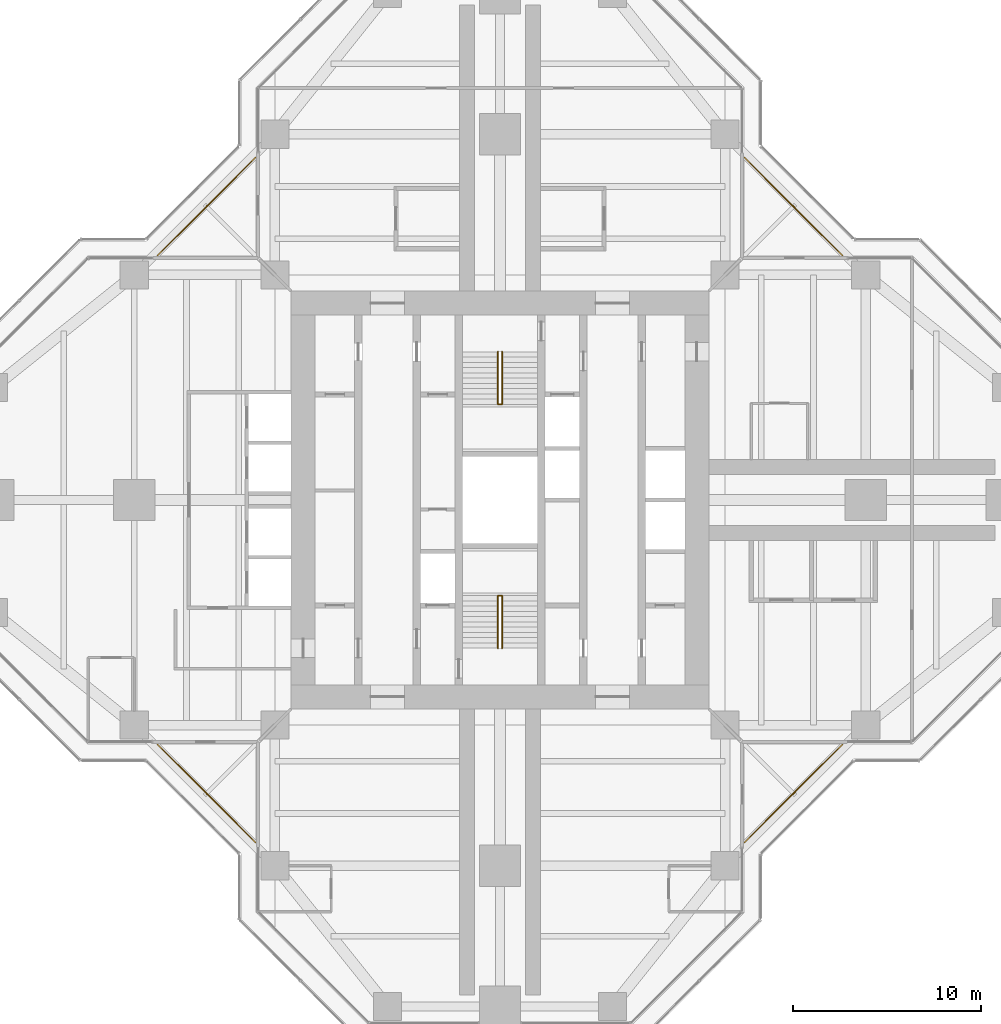
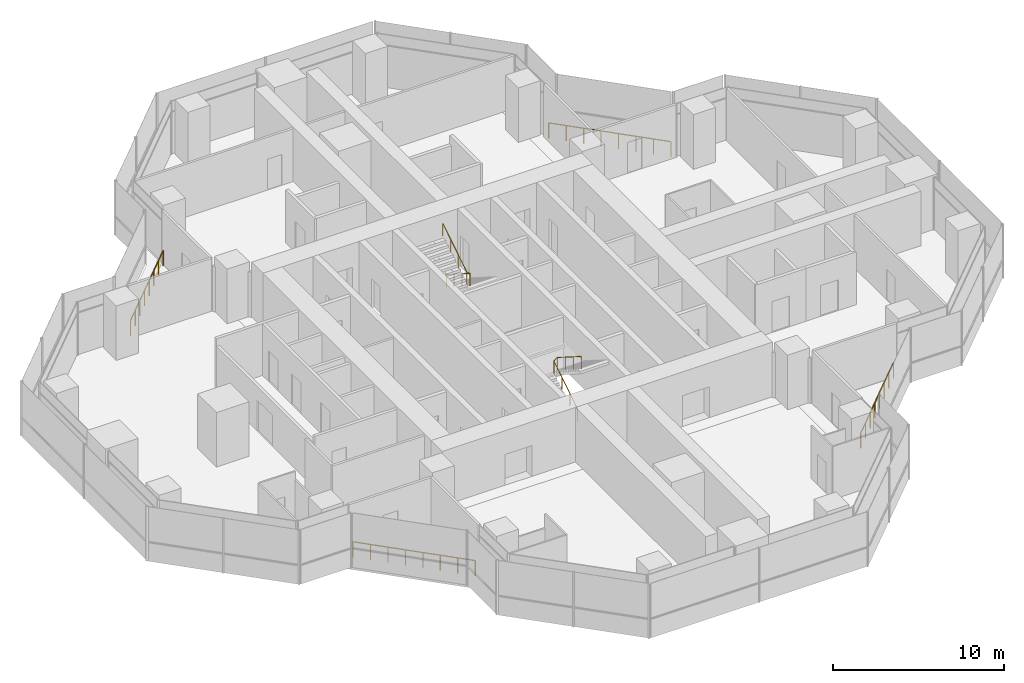
# One storey, part 17 of 17: 6 railings.
"""IFC4 building model written with IfcOpenShell, lengths in metres."""

from ifc_helpers import new_model, si_unit, direction, frame, origin, origin_2d, place, context, subcontext, project, spatial, circle, extrude, material, type_object, element, save


model = new_model("IFC4")

# Units and contexts
model_context = context("Model", 3, precision=1e-05, world=origin(), true_north=direction((0.0, 1.0)))
body_context = subcontext(model_context, "Body", "Model", "MODEL_VIEW")
ifc_project = project(units=[si_unit("LENGTHUNIT", "METRE"), si_unit("AREAUNIT", "SQUARE_METRE"), si_unit("VOLUMEUNIT", "CUBIC_METRE"), si_unit("PLANEANGLEUNIT", "RADIAN"), si_unit("MASSUNIT", "GRAM", prefix="KILO")], contexts=[model_context])

# Site, building, storey
site_placement = place(None, origin())
site = spatial("IfcSite", under=ifc_project, at=site_placement, CompositionType="ELEMENT")
building_placement = place(site_placement, origin())
building = spatial("IfcBuilding", under=site, at=building_placement, Name="Mizan Broadcast Tower", CompositionType="ELEMENT")
storey_placement = place(building_placement, frame((0.0, 0.0, 228.300048828125)))
storey = spatial("IfcBuildingStorey", under=building, at=storey_placement, Name="L53", CompositionType="ELEMENT", Elevation=228.300048828125)

# Railings
ifc_material_1 = material(Name="Stainless steel and glass guard", Category="steel")
railing_type_1 = type_object("IfcRailingType", Name="GUARD 1100", PredefinedType="GUARDRAIL", material=ifc_material_1)
railing_1_placement = place(storey_placement, frame((18.2578125, 13.030029296875, 0.0)))
element("IfcRailing", 1, at=railing_1_placement, inside=storey, type_object=railing_type_1, Name="Winter garden guard L53 E", PredefinedType="GUARDRAIL", context=body_context, shape_type="SweptSolid", body=[
    extrude(circle(Radius=0.02392578125, at=origin_2d()), frame((0.0, 0.0, 1.076171875), z_axis=(-0.707106781187, 0.707106781187, 0.0), x_axis=(-0.707106781187, -0.707106781187, 0.0)), (0.0, 0.0, 1.0), 7.393310546875),
    extrude(circle(Radius=0.02099609375, at=origin_2d()), origin(), (0.0, 0.0, 1.0), 1.052001953125),
    extrude(circle(Radius=0.02099609375, at=origin_2d()), frame((-0.746826171875, 0.746826171875, 0.0)), (0.0, 0.0, 1.0), 1.052001953125),
    extrude(circle(Radius=0.02099609375, at=origin_2d()), frame((-1.49365234375, 1.49365234375, 0.0)), (0.0, 0.0, 1.0), 1.052001953125),
    extrude(circle(Radius=0.02099609375, at=origin_2d()), frame((-2.240478515625, 2.240478515625, 0.0)), (0.0, 0.0, 1.0), 1.052001953125),
    extrude(circle(Radius=0.02099609375, at=origin_2d()), frame((-2.9873046875, 2.9873046875, 0.0)), (0.0, 0.0, 1.0), 1.052001953125),
    extrude(circle(Radius=0.02099609375, at=origin_2d()), frame((-3.734130859375, 3.734130859375, 0.0)), (0.0, 0.0, 1.0), 1.052001953125),
    extrude(circle(Radius=0.02099609375, at=origin_2d()), frame((-4.48095703125, 4.48095703125, 0.0)), (0.0, 0.0, 1.0), 1.052001953125),
    extrude(circle(Radius=0.02099609375, at=origin_2d()), frame((-5.227783203125, 5.227783203125, 0.0)), (0.0, 0.0, 1.0), 1.052001953125),
])
railing_2_placement = place(storey_placement, frame((-13.030029296875, 18.2578125, 0.0)))
element("IfcRailing", 2, at=railing_2_placement, inside=storey, type_object=railing_type_1, Name="Winter garden guard L53 N", PredefinedType="GUARDRAIL", context=body_context, shape_type="SweptSolid", body=[
    extrude(circle(Radius=0.02392578125, at=origin_2d()), frame((0.0, 0.0, 1.076171875), z_axis=(-0.707106781187, -0.707106781187, 0.0), x_axis=(0.707106781187, -0.707106781187, 0.0)), (0.0, 0.0, 1.0), 7.393310546875),
    extrude(circle(Radius=0.02099609375, at=origin_2d()), origin(), (0.0, 0.0, 1.0), 1.052001953125),
    extrude(circle(Radius=0.02099609375, at=origin_2d()), frame((-0.746826171875, -0.746826171875, 0.0)), (0.0, 0.0, 1.0), 1.052001953125),
    extrude(circle(Radius=0.02099609375, at=origin_2d()), frame((-1.49365234375, -1.49365234375, 0.0)), (0.0, 0.0, 1.0), 1.052001953125),
    extrude(circle(Radius=0.02099609375, at=origin_2d()), frame((-2.240478515625, -2.240478515625, 0.0)), (0.0, 0.0, 1.0), 1.052001953125),
    extrude(circle(Radius=0.02099609375, at=origin_2d()), frame((-2.9873046875, -2.9873046875, 0.0)), (0.0, 0.0, 1.0), 1.052001953125),
    extrude(circle(Radius=0.02099609375, at=origin_2d()), frame((-3.734130859375, -3.734130859375, 0.0)), (0.0, 0.0, 1.0), 1.052001953125),
    extrude(circle(Radius=0.02099609375, at=origin_2d()), frame((-4.48095703125, -4.48095703125, 0.0)), (0.0, 0.0, 1.0), 1.052001953125),
    extrude(circle(Radius=0.02099609375, at=origin_2d()), frame((-5.227783203125, -5.227783203125, 0.0)), (0.0, 0.0, 1.0), 1.052001953125),
])
railing_3_placement = place(storey_placement, frame((-18.2578125, -13.030029296875, 0.0)))
element("IfcRailing", 3, at=railing_3_placement, inside=storey, type_object=railing_type_1, Name="Winter garden guard L53 W", PredefinedType="GUARDRAIL", context=body_context, shape_type="SweptSolid", body=[
    extrude(circle(Radius=0.02392578125, at=origin_2d()), frame((0.0, 0.0, 1.076171875), z_axis=(0.707106781187, -0.707106781187, 0.0), x_axis=(0.707106781187, 0.707106781187, 0.0)), (0.0, 0.0, 1.0), 7.393310546875),
    extrude(circle(Radius=0.02099609375, at=origin_2d()), origin(), (0.0, 0.0, 1.0), 1.052001953125),
    extrude(circle(Radius=0.02099609375, at=origin_2d()), frame((0.746826171875, -0.746826171875, 0.0)), (0.0, 0.0, 1.0), 1.052001953125),
    extrude(circle(Radius=0.02099609375, at=origin_2d()), frame((1.49365234375, -1.49365234375, 0.0)), (0.0, 0.0, 1.0), 1.052001953125),
    extrude(circle(Radius=0.02099609375, at=origin_2d()), frame((2.240478515625, -2.240478515625, 0.0)), (0.0, 0.0, 1.0), 1.052001953125),
    extrude(circle(Radius=0.02099609375, at=origin_2d()), frame((2.9873046875, -2.9873046875, 0.0)), (0.0, 0.0, 1.0), 1.052001953125),
    extrude(circle(Radius=0.02099609375, at=origin_2d()), frame((3.734130859375, -3.734130859375, 0.0)), (0.0, 0.0, 1.0), 1.052001953125),
    extrude(circle(Radius=0.02099609375, at=origin_2d()), frame((4.48095703125, -4.48095703125, 0.0)), (0.0, 0.0, 1.0), 1.052001953125),
    extrude(circle(Radius=0.02099609375, at=origin_2d()), frame((5.227783203125, -5.227783203125, 0.0)), (0.0, 0.0, 1.0), 1.052001953125),
])
railing_4_placement = place(storey_placement, frame((13.030029296875, -18.2578125, 0.0)))
element("IfcRailing", 4, at=railing_4_placement, inside=storey, type_object=railing_type_1, Name="Winter garden guard L53 S", PredefinedType="GUARDRAIL", context=body_context, shape_type="SweptSolid", body=[
    extrude(circle(Radius=0.02392578125, at=origin_2d()), frame((0.0, 0.0, 1.076171875), z_axis=(0.707106781187, 0.707106781187, 0.0), x_axis=(-0.707106781187, 0.707106781187, 0.0)), (0.0, 0.0, 1.0), 7.393310546875),
    extrude(circle(Radius=0.02099609375, at=origin_2d()), origin(), (0.0, 0.0, 1.0), 1.052001953125),
    extrude(circle(Radius=0.02099609375, at=origin_2d()), frame((0.746826171875, 0.746826171875, 0.0)), (0.0, 0.0, 1.0), 1.052001953125),
    extrude(circle(Radius=0.02099609375, at=origin_2d()), frame((1.49365234375, 1.49365234375, 0.0)), (0.0, 0.0, 1.0), 1.052001953125),
    extrude(circle(Radius=0.02099609375, at=origin_2d()), frame((2.240478515625, 2.240478515625, 0.0)), (0.0, 0.0, 1.0), 1.052001953125),
    extrude(circle(Radius=0.02099609375, at=origin_2d()), frame((2.9873046875, 2.9873046875, 0.0)), (0.0, 0.0, 1.0), 1.052001953125),
    extrude(circle(Radius=0.02099609375, at=origin_2d()), frame((3.734130859375, 3.734130859375, 0.0)), (0.0, 0.0, 1.0), 1.052001953125),
    extrude(circle(Radius=0.02099609375, at=origin_2d()), frame((4.48095703125, 4.48095703125, 0.0)), (0.0, 0.0, 1.0), 1.052001953125),
    extrude(circle(Radius=0.02099609375, at=origin_2d()), frame((5.227783203125, 5.227783203125, 0.0)), (0.0, 0.0, 1.0), 1.052001953125),
])
ifc_material_2 = material(Name="Stainless steel", Category="steel")
railing_type_2 = type_object("IfcRailingType", Name="HANDRAIL 50", PredefinedType="HANDRAIL", material=ifc_material_2)
railing_5_placement = place(storey_placement, frame((-0.110107421875, -7.89990234375, 0.17724609375)))
element("IfcRailing", 5, at=railing_5_placement, inside=storey, type_object=railing_type_2, Name="Stair A handrail", PredefinedType="HANDRAIL", context=body_context, shape_type="SweptSolid", body=[
    extrude(circle(Radius=0.02392578125, at=origin_2d()), frame((0.0, 0.0, 0.8759765625), z_axis=(0.0, 0.844887892834, 0.53494340686), x_axis=(-1.0, 0.0, 0.0)), (0.0, 0.0, 1.0), 3.313720703125),
    extrude(circle(Radius=0.02392578125, at=origin_2d()), frame((0.0, 2.7998046875, 2.6484375), z_axis=(0.779011685263, 0.0, 0.627009405212), x_axis=(0.0, 1.0, 0.0)), (0.0, 0.0, 1.0), 0.28271484375),
    extrude(circle(Radius=0.02392578125, at=origin_2d()), frame((0.22021484375, 2.7998046875, 2.82568359375), z_axis=(0.0, -0.844887892834, 0.53494340686), x_axis=(1.0, 0.0, 0.0)), (0.0, 0.0, 1.0), 3.313720703125),
    extrude(circle(Radius=0.02099609375, at=origin_2d()), origin(), (0.0, 0.0, 1.0), 0.851806640625),
    extrude(circle(Radius=0.02099609375, at=origin_2d()), frame((0.0, 0.933349609375, 0.5908203125)), (0.0, 0.0, 1.0), 0.851806640625),
    extrude(circle(Radius=0.02099609375, at=origin_2d()), frame((0.0, 1.866455078125, 1.181884765625)), (0.0, 0.0, 1.0), 0.851806640625),
    extrude(circle(Radius=0.02099609375, at=origin_2d()), frame((0.0, 2.7998046875, 1.772705078125)), (0.0, 0.0, 1.0), 0.851806640625),
    extrude(circle(Radius=0.02099609375, at=origin_2d()), frame((0.22021484375, 2.7998046875, 1.949951171875)), (0.0, 0.0, 1.0), 0.851806640625),
    extrude(circle(Radius=0.02099609375, at=origin_2d()), frame((0.22021484375, 1.866455078125, 2.540771484375)), (0.0, 0.0, 1.0), 0.851806640625),
    extrude(circle(Radius=0.02099609375, at=origin_2d()), frame((0.22021484375, 0.933349609375, 3.1318359375)), (0.0, 0.0, 1.0), 0.851806640625),
    extrude(circle(Radius=0.02099609375, at=origin_2d()), frame((0.22021484375, 0.0, 3.72265625)), (0.0, 0.0, 1.0), 0.851806640625),
])
railing_6_placement = place(storey_placement, frame((0.110107421875, 7.89990234375, 0.17724609375)))
element("IfcRailing", 6, at=railing_6_placement, inside=storey, type_object=railing_type_2, Name="Stair B handrail", PredefinedType="HANDRAIL", context=body_context, shape_type="SweptSolid", body=[
    extrude(circle(Radius=0.02392578125, at=origin_2d()), frame((0.0, 0.0, 0.8759765625), z_axis=(0.0, -0.844887892834, 0.53494340686), x_axis=(1.0, 0.0, 0.0)), (0.0, 0.0, 1.0), 3.313720703125),
    extrude(circle(Radius=0.02392578125, at=origin_2d()), frame((0.0, -2.7998046875, 2.6484375), z_axis=(-0.779011685263, 0.0, 0.627009405212), x_axis=(0.0, -1.0, 0.0)), (0.0, 0.0, 1.0), 0.28271484375),
    extrude(circle(Radius=0.02392578125, at=origin_2d()), frame((-0.22021484375, -2.7998046875, 2.82568359375), z_axis=(0.0, 0.844887892834, 0.53494340686), x_axis=(-1.0, 0.0, 0.0)), (0.0, 0.0, 1.0), 3.313720703125),
    extrude(circle(Radius=0.02099609375, at=origin_2d()), origin(), (0.0, 0.0, 1.0), 0.851806640625),
    extrude(circle(Radius=0.02099609375, at=origin_2d()), frame((0.0, -0.933349609375, 0.5908203125)), (0.0, 0.0, 1.0), 0.851806640625),
    extrude(circle(Radius=0.02099609375, at=origin_2d()), frame((0.0, -1.866455078125, 1.181884765625)), (0.0, 0.0, 1.0), 0.851806640625),
    extrude(circle(Radius=0.02099609375, at=origin_2d()), frame((0.0, -2.7998046875, 1.772705078125)), (0.0, 0.0, 1.0), 0.851806640625),
    extrude(circle(Radius=0.02099609375, at=origin_2d()), frame((-0.22021484375, -2.7998046875, 1.949951171875)), (0.0, 0.0, 1.0), 0.851806640625),
    extrude(circle(Radius=0.02099609375, at=origin_2d()), frame((-0.22021484375, -1.866455078125, 2.540771484375)), (0.0, 0.0, 1.0), 0.851806640625),
    extrude(circle(Radius=0.02099609375, at=origin_2d()), frame((-0.22021484375, -0.933349609375, 3.1318359375)), (0.0, 0.0, 1.0), 0.851806640625),
    extrude(circle(Radius=0.02099609375, at=origin_2d()), frame((-0.22021484375, 0.0, 3.72265625)), (0.0, 0.0, 1.0), 0.851806640625),
])

save(model, "model.ifc")
